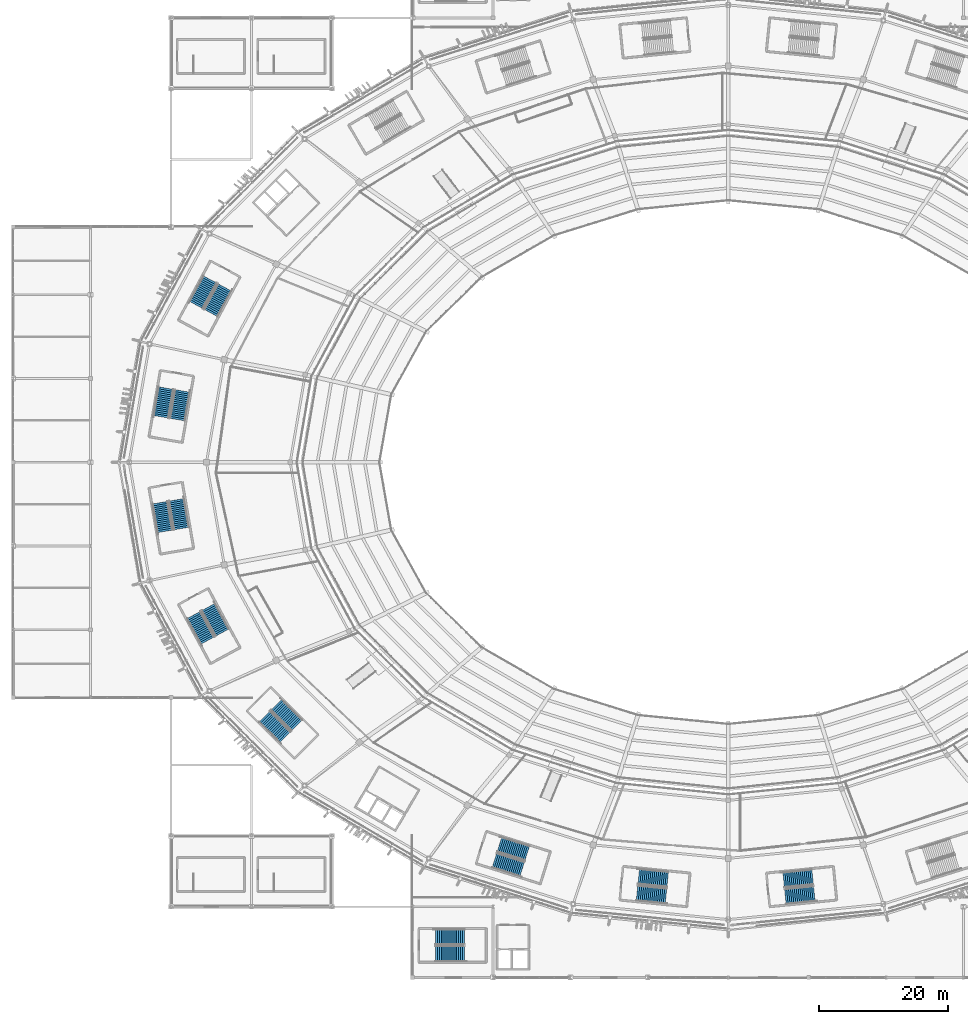
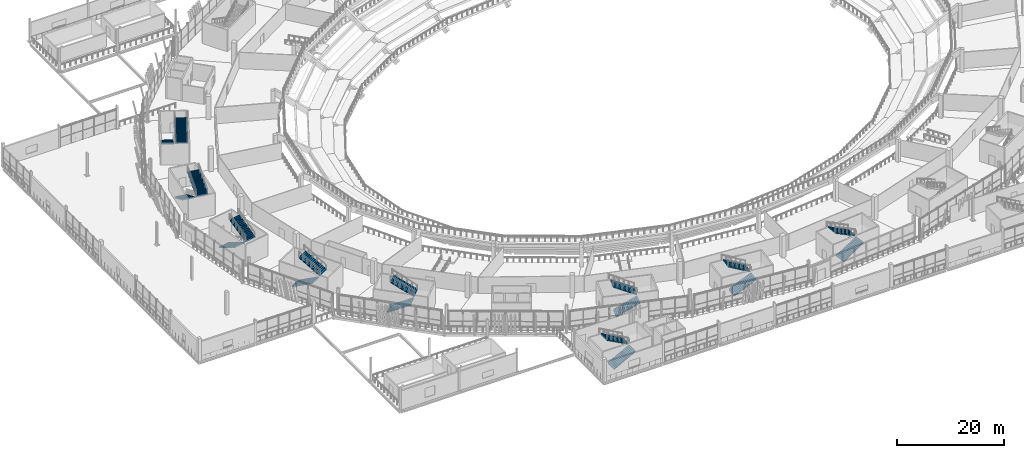
# One storey, part 134 of 178: 18 stair flights, 9 elements without a shape of their own.
"""IFC4 building model written with IfcOpenShell, lengths in metres."""

import ifcopenshell
import ifcopenshell.guid

model = None  # the IFC model being written
_history = None  # IfcOwnerHistory: only IFC2X3 demands one
_inside = {}  # id of a spatial element -> (the spatial element, [elements in it])
_under = {}  # id of a project, library or spatial element -> (it, [spatial elements below it])
_declared = {}  # id of a project -> (the project, [libraries it declares])
_typed = {}  # id of a type object -> (the type object, [elements of that type])
_made_of = {}  # id of a material, layer set ... -> (it, [elements and type objects made of it])


def new_model(schema):
    """Start an empty IFC model of exactly this schema.

    Asked for "IFC4X3", IfcOpenShell would pick the latest addendum, in which some entities
    have other attributes; the version numbers below select the first issue.
    IFC2X3 requires an IfcOwnerHistory on every rooted entity: one is made here for all.
    """
    global model, _history
    if schema == "IFC4X3":
        model = ifcopenshell.file(schema_version=(4, 3, 0, 0))
    else:
        model = ifcopenshell.file(schema=schema)
    _inside.clear()
    _under.clear()
    _declared.clear()
    _typed.clear()
    _made_of.clear()
    _history = None
    if model.schema == "IFC2X3":
        org = make("IfcOrganization", Name="unknown")
        user = make(
            "IfcPersonAndOrganization",
            ThePerson=make("IfcPerson", FamilyName="unknown"),
            TheOrganization=org,
        )
        app = make(
            "IfcApplication",
            ApplicationDeveloper=org,
            Version="unknown",
            ApplicationFullName="unknown",
            ApplicationIdentifier="unknown",
        )
        _history = make(
            "IfcOwnerHistory",
            OwningUser=user,
            OwningApplication=app,
            ChangeAction="ADDED",
            CreationDate=0,
        )
    return model


def make(cls, **values):
    """One entity of the class cls with the attributes given. An attribute that is None is left unset."""
    return model.create_entity(
        cls, **{name: value for name, value in values.items() if value is not None}
    )


def rooted(cls, **values):
    """An entity with a GlobalId (a new one), such as an element, a storey or a relation."""
    return make(cls, GlobalId=ifcopenshell.guid.new(), OwnerHistory=_history, **values)


def si_unit(unit_type, name, prefix=None):
    """IfcSIUnit, for example si_unit("LENGTHUNIT", "METRE", prefix="MILLI")."""
    return make("IfcSIUnit", UnitType=unit_type, Prefix=prefix, Name=name)


def assignment(units):
    """IfcUnitAssignment: the units of a project."""
    return None if units is None else make("IfcUnitAssignment", Units=units)


def point(xyz):
    """IfcCartesianPoint."""
    return None if xyz is None else make("IfcCartesianPoint", Coordinates=xyz)


def direction(xyz):
    """IfcDirection."""
    return None if xyz is None else make("IfcDirection", DirectionRatios=xyz)


def frame(location, z_axis=None, x_axis=None):
    """IfcAxis2Placement3D, a coordinate frame: its origin and axes. An axis left out is left unset."""
    return make(
        "IfcAxis2Placement3D",
        Location=point(location),
        Axis=direction(z_axis),
        RefDirection=direction(x_axis),
    )


def origin():
    """The frame at (0, 0, 0) with its axes left unset."""
    return frame((0.0, 0.0, 0.0))


def place(relative_to, where):
    """IfcLocalPlacement: puts the frame where relative to a parent placement (None: the world)."""
    return make(
        "IfcLocalPlacement", PlacementRelTo=relative_to, RelativePlacement=where
    )


def context(
    kind, dimensions, precision=None, world=None, true_north=None, identifier=None
):
    """IfcGeometricRepresentationContext, for example the 3D "Model" context."""
    return make(
        "IfcGeometricRepresentationContext",
        ContextIdentifier=identifier,
        ContextType=kind,
        CoordinateSpaceDimension=dimensions,
        Precision=precision,
        WorldCoordinateSystem=world,
        TrueNorth=true_north,
    )


def subcontext(parent, identifier, kind, view, scale=None):
    """IfcGeometricRepresentationSubContext, for example "Body" below "Model"."""
    return make(
        "IfcGeometricRepresentationSubContext",
        ContextIdentifier=identifier,
        ContextType=kind,
        ParentContext=parent,
        TargetScale=scale,
        TargetView=view,
    )


def project(units=None, contexts=None):
    """IfcProject with its units and contexts."""
    return rooted(
        "IfcProject",
        Name="project",
        RepresentationContexts=contexts,
        UnitsInContext=assignment(units),
    )


def spatial(cls, under=None, at=None, **own):
    """A site, building, storey or space (cls), placed at a placement, below another one or the project."""
    s = rooted(cls, ObjectPlacement=at, **own)
    if under is not None:
        _under.setdefault(under.id(), (under, []))[1].append(s)
    return s


def polyline(points):
    """IfcPolyline through the points."""
    return make("IfcPolyline", Points=[point(p) for p in points])


def outline(outer, holes=None, kind="AREA"):
    """IfcArbitraryClosedProfileDef: a profile drawn as a closed curve; with holes, ...WithVoids."""
    if holes is None:
        return make("IfcArbitraryClosedProfileDef", ProfileType=kind, OuterCurve=outer)
    return make(
        "IfcArbitraryProfileDefWithVoids",
        ProfileType=kind,
        OuterCurve=outer,
        InnerCurves=holes,
    )


def extrude(swept, where, along, depth):
    """IfcExtrudedAreaSolid: the profile swept, set in the frame where, extruded along a direction by depth."""
    return make(
        "IfcExtrudedAreaSolid",
        SweptArea=swept,
        Position=where,
        ExtrudedDirection=direction(along),
        Depth=depth,
    )


def shape(context_of_items, identifier, shape_type, items):
    """IfcShapeRepresentation: the items that make up one representation, for example the "Body"."""
    return make(
        "IfcShapeRepresentation",
        ContextOfItems=context_of_items,
        RepresentationIdentifier=identifier,
        RepresentationType=shape_type,
        Items=items,
    )


def material(Name=None, Category=None):
    """IfcMaterial."""
    return make("IfcMaterial", Name=Name, Category=Category)


def made_of(thing, what):
    """Note that an element or type object is made of a material, layer set ...; save() writes the relation."""
    if what is not None:
        _made_of.setdefault(what.id(), (what, []))[1].append(thing)
    return thing


def type_object(cls, material=None, **own):
    """A type object (cls), such as IfcWallType, which elements share."""
    return made_of(rooted(cls, **own), material)


def element(
    cls,
    number,
    at=None,
    inside=None,
    cuts=None,
    type_object=None,
    material=None,
    context=None,
    identifier="Body",
    shape_type=None,
    held_by="IfcProductDefinitionShape",
    body=None,
    shapes=None,
    **own,
):
    """One element of the class cls, such as IfcWall. Its Tag is "e" and its number.

    at: its placement. inside: the storey or other place that contains it. cuts: it is an
    opening in that element (IfcRelVoidsElement). A single representation is given by context,
    identifier, shape_type and body (its items); several are given by shapes. held_by: the class
    of the entity that holds the representations. save() writes the other relations.
    """
    e = rooted(cls, Tag="e%d" % number, ObjectPlacement=at, **own)
    if body is not None:
        shapes = [shape(context, identifier, shape_type, body)]
    if shapes is not None:
        e.Representation = make(held_by, Representations=shapes)
    if inside is not None:
        _inside.setdefault(inside.id(), (inside, []))[1].append(e)
    if cuts is not None:
        rooted(
            "IfcRelVoidsElement", RelatingBuildingElement=cuts, RelatedOpeningElement=e
        )
    if type_object is not None:
        _typed.setdefault(type_object.id(), (type_object, []))[1].append(e)
    return made_of(e, material)


def aggregate(whole, parts):
    """IfcRelAggregates: a whole, such as a stair, and the parts it consists of."""
    return rooted("IfcRelAggregates", RelatingObject=whole, RelatedObjects=parts)


def save(model, path):
    """Write the relations noted so far, then the file.

    IfcRelAggregates (storeys below a building ...), IfcRelContainedInSpatialStructure (elements
    in a storey), IfcRelDefinesByType, IfcRelAssociatesMaterial and IfcRelDeclares: one each for
    every whole, place, type object, material and project.
    """
    for whole, parts in _under.values():
        aggregate(whole, parts)
    for where, things in _inside.values():
        rooted(
            "IfcRelContainedInSpatialStructure",
            RelatedElements=things,
            RelatingStructure=where,
        )
    for kind, things in _typed.values():
        rooted("IfcRelDefinesByType", RelatedObjects=things, RelatingType=kind)
    for what, things in _made_of.values():
        rooted("IfcRelAssociatesMaterial", RelatedObjects=things, RelatingMaterial=what)
    for by, libraries in _declared.values():
        rooted("IfcRelDeclares", RelatingContext=by, RelatedDefinitions=libraries)
    model.write(path)


model = new_model("IFC4")

# Units and contexts
model_context = context("Model", 3, precision=1e-05, world=origin(), true_north=direction((0.0, 1.0)))
body_context = subcontext(model_context, "Body", "Model", "MODEL_VIEW")
ifc_project = project(units=[si_unit("LENGTHUNIT", "METRE"), si_unit("AREAUNIT", "SQUARE_METRE"), si_unit("VOLUMEUNIT", "CUBIC_METRE"), si_unit("PLANEANGLEUNIT", "RADIAN"), si_unit("MASSUNIT", "GRAM", prefix="KILO")], contexts=[model_context])

# Site, building, storey
site_placement = place(None, origin())
site = spatial("IfcSite", under=ifc_project, at=site_placement, CompositionType="ELEMENT")
building_placement = place(site_placement, origin())
building = spatial("IfcBuilding", under=site, at=building_placement, Name="Zlatoyarsky Gate Stadium", CompositionType="ELEMENT")
storey_placement = place(building_placement, frame((0.0, 0.0, 5.39990234375)))
storey = spatial("IfcBuildingStorey", under=building, at=storey_placement, Name="L01", CompositionType="ELEMENT", Elevation=5.39990234375)

# Stair, stair flights
ifc_material = material(Name="Concrete C40/50", Category="concrete")
stair_type = type_object("IfcStairType", Name="CONCRETE DOGLEG EXIT STAIR H5200", PredefinedType="TWO_STRAIGHT_RUN_STAIR", material=ifc_material)
stair_1_placement = place(storey_placement, origin())
stair_1 = element("IfcStair", 1, at=stair_1_placement, inside=storey, type_object=stair_type, Name="L01 Exit Stair ST-06", PredefinedType="TWO_STRAIGHT_RUN_STAIR")
stair_flight_type = type_object("IfcStairFlightType", Name="CONCRETE STAIR FLIGHT 2400 H5200", PredefinedType="STRAIGHT", material=ifc_material)
stair_flight_1_placement = place(storey_placement, frame((30.5517578125, 108.37353515625, 0.0), z_axis=(0.0, 0.0, 1.0), x_axis=(-0.476890318595, -0.878962811518, 0.0)))
stair_flight_1 = element("IfcStairFlight", 2, at=stair_flight_1_placement, type_object=stair_flight_type, Name="ST-DG52 flight 1", NumberOfRisers=16, NumberOfTreads=15, PredefinedType="STRAIGHT", RiserHeight=0.1625, TreadLength=0.3, context=body_context, shape_type="SweptSolid", body=[
    extrude(outline(polyline([(-0.006103515625, -0.193359375), (-0.006103515625, 0.0), (0.0, 0.0), (0.0, 0.16259765625), (0.300048828125, 0.16259765625), (0.300048828125, 0.324951171875), (0.60009765625, 0.324951171875), (0.60009765625, 0.487548828125), (0.89990234375, 0.487548828125), (0.89990234375, 0.64990234375), (1.199951171875, 0.64990234375), (1.199951171875, 0.8125), (1.5, 0.8125), (1.5, 0.97509765625), (1.800048828125, 0.97509765625), (1.800048828125, 1.137451171875), (2.10009765625, 1.137451171875), (2.10009765625, 1.300048828125), (2.39990234375, 1.300048828125), (2.39990234375, 1.46240234375), (2.699951171875, 1.46240234375), (2.699951171875, 1.625), (3.0, 1.625), (3.0, 1.78759765625), (3.300048828125, 1.78759765625), (3.300048828125, 1.949951171875), (3.60009765625, 1.949951171875), (3.60009765625, 2.112548828125), (3.89990234375, 2.112548828125), (3.89990234375, 2.27490234375), (4.199951171875, 2.27490234375), (4.199951171875, 2.4375), (4.5, 2.4375), (4.5, 2.60009765625), (4.506103515625, 2.60009765625), (4.506103515625, 2.244140625), (4.5, 2.244140625), (-0.006103515625, -0.193359375)])), frame((0.0, 1.199951171875, 0.0), z_axis=(0.0, -1.0, 0.0), x_axis=(1.0, 0.0, 0.0)), (0.0, 0.0, 1.0), 2.39990234375),
])
stair_flight_2_placement = place(storey_placement, frame((30.691162109375, 103.17822265625, 2.60009765625), z_axis=(0.0, 0.0, 1.0), x_axis=(0.476890318595, 0.878962811518, 0.0)))
stair_flight_2 = element("IfcStairFlight", 3, at=stair_flight_2_placement, type_object=stair_flight_type, Name="ST-DG52 flight 2", NumberOfRisers=16, NumberOfTreads=15, PredefinedType="STRAIGHT", RiserHeight=0.1625, TreadLength=0.3, context=body_context, shape_type="SweptSolid", body=[
    extrude(outline(polyline([(-0.006103515625, -0.193359375), (-0.006103515625, 0.0), (0.0, 0.0), (0.0, 0.16259765625), (0.300048828125, 0.16259765625), (0.300048828125, 0.324951171875), (0.60009765625, 0.324951171875), (0.60009765625, 0.487548828125), (0.89990234375, 0.487548828125), (0.89990234375, 0.64990234375), (1.199951171875, 0.64990234375), (1.199951171875, 0.8125), (1.5, 0.8125), (1.5, 0.97509765625), (1.800048828125, 0.97509765625), (1.800048828125, 1.137451171875), (2.10009765625, 1.137451171875), (2.10009765625, 1.300048828125), (2.39990234375, 1.300048828125), (2.39990234375, 1.46240234375), (2.699951171875, 1.46240234375), (2.699951171875, 1.625), (3.0, 1.625), (3.0, 1.78759765625), (3.300048828125, 1.78759765625), (3.300048828125, 1.949951171875), (3.60009765625, 1.949951171875), (3.60009765625, 2.112548828125), (3.89990234375, 2.112548828125), (3.89990234375, 2.27490234375), (4.199951171875, 2.27490234375), (4.199951171875, 2.4375), (4.5, 2.4375), (4.5, 2.60009765625), (4.506103515625, 2.60009765625), (4.506103515625, 2.244140625), (4.5, 2.244140625), (-0.006103515625, -0.193359375)])), frame((0.0, 1.199951171875, 0.0), z_axis=(0.0, -1.0, 0.0), x_axis=(1.0, 0.0, 0.0)), (0.0, 0.0, 1.0), 2.39990234375),
])
aggregate(stair_1, [stair_flight_1, stair_flight_2])

stair_2_placement = place(storey_placement, origin())
stair_2 = element("IfcStair", 4, at=stair_2_placement, inside=storey, type_object=stair_type, Name="L01 Exit Stair ST-07", PredefinedType="TWO_STRAIGHT_RUN_STAIR")
stair_flight_3_placement = place(storey_placement, frame((22.80712890625, 73.71875, 0.0), z_axis=(0.0, 0.0, 1.0), x_axis=(0.169937754623, -0.985454798331, 0.0)))
stair_flight_3 = element("IfcStairFlight", 5, at=stair_flight_3_placement, type_object=stair_flight_type, Name="ST-DG52 flight 1", NumberOfRisers=16, NumberOfTreads=15, PredefinedType="STRAIGHT", RiserHeight=0.1625, TreadLength=0.3, context=body_context, shape_type="SweptSolid", body=[
    extrude(outline(polyline([(-0.006103515625, -0.193359375), (-0.006103515625, 0.0), (0.0, 0.0), (0.0, 0.16259765625), (0.300048828125, 0.16259765625), (0.300048828125, 0.324951171875), (0.60009765625, 0.324951171875), (0.60009765625, 0.487548828125), (0.89990234375, 0.487548828125), (0.89990234375, 0.64990234375), (1.199951171875, 0.64990234375), (1.199951171875, 0.8125), (1.5, 0.8125), (1.5, 0.97509765625), (1.800048828125, 0.97509765625), (1.800048828125, 1.137451171875), (2.10009765625, 1.137451171875), (2.10009765625, 1.300048828125), (2.39990234375, 1.300048828125), (2.39990234375, 1.46240234375), (2.699951171875, 1.46240234375), (2.699951171875, 1.625), (3.0, 1.625), (3.0, 1.78759765625), (3.300048828125, 1.78759765625), (3.300048828125, 1.949951171875), (3.60009765625, 1.949951171875), (3.60009765625, 2.112548828125), (3.89990234375, 2.112548828125), (3.89990234375, 2.27490234375), (4.199951171875, 2.27490234375), (4.199951171875, 2.4375), (4.5, 2.4375), (4.5, 2.60009765625), (4.506103515625, 2.60009765625), (4.506103515625, 2.244140625), (4.5, 2.244140625), (-0.006103515625, -0.193359375)])), frame((0.0, 1.199951171875, 0.0), z_axis=(0.0, -1.0, 0.0), x_axis=(1.0, 0.0, 0.0)), (0.0, 0.0, 1.0), 2.39990234375),
])
stair_flight_4_placement = place(storey_placement, frame((26.134033203125, 69.72607421875, 2.60009765625), z_axis=(0.0, 0.0, 1.0), x_axis=(-0.169937754623, 0.985454798331, 0.0)))
stair_flight_4 = element("IfcStairFlight", 6, at=stair_flight_4_placement, type_object=stair_flight_type, Name="ST-DG52 flight 2", NumberOfRisers=16, NumberOfTreads=15, PredefinedType="STRAIGHT", RiserHeight=0.1625, TreadLength=0.3, context=body_context, shape_type="SweptSolid", body=[
    extrude(outline(polyline([(-0.006103515625, -0.193359375), (-0.006103515625, 0.0), (0.0, 0.0), (0.0, 0.16259765625), (0.300048828125, 0.16259765625), (0.300048828125, 0.324951171875), (0.60009765625, 0.324951171875), (0.60009765625, 0.487548828125), (0.89990234375, 0.487548828125), (0.89990234375, 0.64990234375), (1.199951171875, 0.64990234375), (1.199951171875, 0.8125), (1.5, 0.8125), (1.5, 0.97509765625), (1.800048828125, 0.97509765625), (1.800048828125, 1.137451171875), (2.10009765625, 1.137451171875), (2.10009765625, 1.300048828125), (2.39990234375, 1.300048828125), (2.39990234375, 1.46240234375), (2.699951171875, 1.46240234375), (2.699951171875, 1.625), (3.0, 1.625), (3.0, 1.78759765625), (3.300048828125, 1.78759765625), (3.300048828125, 1.949951171875), (3.60009765625, 1.949951171875), (3.60009765625, 2.112548828125), (3.89990234375, 2.112548828125), (3.89990234375, 2.27490234375), (4.199951171875, 2.27490234375), (4.199951171875, 2.4375), (4.5, 2.4375), (4.5, 2.60009765625), (4.506103515625, 2.60009765625), (4.506103515625, 2.244140625), (4.5, 2.244140625), (-0.006103515625, -0.193359375)])), frame((0.0, 1.199951171875, 0.0), z_axis=(0.0, -1.0, 0.0), x_axis=(1.0, 0.0, 0.0)), (0.0, 0.0, 1.0), 2.39990234375),
])
aggregate(stair_2, [stair_flight_3, stair_flight_4])

stair_3_placement = place(storey_placement, origin())
stair_3 = element("IfcStair", 7, at=stair_3_placement, inside=storey, type_object=stair_type, Name="L01 Exit Stair ST-08", PredefinedType="TWO_STRAIGHT_RUN_STAIR")
stair_flight_5_placement = place(storey_placement, frame((39.01806640625, 40.50341796875, 0.0), z_axis=(0.0, 0.0, 1.0), x_axis=(0.708901395436, -0.70530760066, 0.0)))
stair_flight_5 = element("IfcStairFlight", 8, at=stair_flight_5_placement, type_object=stair_flight_type, Name="ST-DG52 flight 1", NumberOfRisers=16, NumberOfTreads=15, PredefinedType="STRAIGHT", RiserHeight=0.1625, TreadLength=0.3, context=body_context, shape_type="SweptSolid", body=[
    extrude(outline(polyline([(-0.006103515625, -0.193359375), (-0.006103515625, 0.0), (0.0, 0.0), (0.0, 0.16259765625), (0.300048828125, 0.16259765625), (0.300048828125, 0.324951171875), (0.60009765625, 0.324951171875), (0.60009765625, 0.487548828125), (0.89990234375, 0.487548828125), (0.89990234375, 0.64990234375), (1.199951171875, 0.64990234375), (1.199951171875, 0.8125), (1.5, 0.8125), (1.5, 0.97509765625), (1.800048828125, 0.97509765625), (1.800048828125, 1.137451171875), (2.10009765625, 1.137451171875), (2.10009765625, 1.300048828125), (2.39990234375, 1.300048828125), (2.39990234375, 1.46240234375), (2.699951171875, 1.46240234375), (2.699951171875, 1.625), (3.0, 1.625), (3.0, 1.78759765625), (3.300048828125, 1.78759765625), (3.300048828125, 1.949951171875), (3.60009765625, 1.949951171875), (3.60009765625, 2.112548828125), (3.89990234375, 2.112548828125), (3.89990234375, 2.27490234375), (4.199951171875, 2.27490234375), (4.199951171875, 2.4375), (4.5, 2.4375), (4.5, 2.60009765625), (4.506103515625, 2.60009765625), (4.506103515625, 2.244140625), (4.5, 2.244140625), (-0.006103515625, -0.193359375)])), frame((0.0, 1.199951171875, 0.0), z_axis=(0.0, -1.0, 0.0), x_axis=(1.0, 0.0, 0.0)), (0.0, 0.0, 1.0), 2.39990234375),
])
stair_flight_6_placement = place(storey_placement, frame((44.0419921875, 39.172607421875, 2.60009765625), z_axis=(0.0, 0.0, 1.0), x_axis=(-0.708901395436, 0.70530760066, 0.0)))
stair_flight_6 = element("IfcStairFlight", 9, at=stair_flight_6_placement, type_object=stair_flight_type, Name="ST-DG52 flight 2", NumberOfRisers=16, NumberOfTreads=15, PredefinedType="STRAIGHT", RiserHeight=0.1625, TreadLength=0.3, context=body_context, shape_type="SweptSolid", body=[
    extrude(outline(polyline([(-0.006103515625, -0.193359375), (-0.006103515625, 0.0), (0.0, 0.0), (0.0, 0.16259765625), (0.300048828125, 0.16259765625), (0.300048828125, 0.324951171875), (0.60009765625, 0.324951171875), (0.60009765625, 0.487548828125), (0.89990234375, 0.487548828125), (0.89990234375, 0.64990234375), (1.199951171875, 0.64990234375), (1.199951171875, 0.8125), (1.5, 0.8125), (1.5, 0.97509765625), (1.800048828125, 0.97509765625), (1.800048828125, 1.137451171875), (2.10009765625, 1.137451171875), (2.10009765625, 1.300048828125), (2.39990234375, 1.300048828125), (2.39990234375, 1.46240234375), (2.699951171875, 1.46240234375), (2.699951171875, 1.625), (3.0, 1.625), (3.0, 1.78759765625), (3.300048828125, 1.78759765625), (3.300048828125, 1.949951171875), (3.60009765625, 1.949951171875), (3.60009765625, 2.112548828125), (3.89990234375, 2.112548828125), (3.89990234375, 2.27490234375), (4.199951171875, 2.27490234375), (4.199951171875, 2.4375), (4.5, 2.4375), (4.5, 2.60009765625), (4.506103515625, 2.60009765625), (4.506103515625, 2.244140625), (4.5, 2.244140625), (-0.006103515625, -0.193359375)])), frame((0.0, 1.199951171875, 0.0), z_axis=(0.0, -1.0, 0.0), x_axis=(1.0, 0.0, 0.0)), (0.0, 0.0, 1.0), 2.39990234375),
])
aggregate(stair_3, [stair_flight_5, stair_flight_6])

stair_4_placement = place(storey_placement, origin())
stair_4 = element("IfcStair", 10, at=stair_4_placement, inside=storey, type_object=stair_type, Name="L01 Exit Stair ST-09", PredefinedType="TWO_STRAIGHT_RUN_STAIR")
stair_flight_7_placement = place(storey_placement, frame((74.70849609375, 18.179931640625, 0.0), z_axis=(0.0, 0.0, 1.0), x_axis=(0.953463118711, -0.301509670257, 0.0)))
stair_flight_7 = element("IfcStairFlight", 11, at=stair_flight_7_placement, type_object=stair_flight_type, Name="ST-DG52 flight 1", NumberOfRisers=16, NumberOfTreads=15, PredefinedType="STRAIGHT", RiserHeight=0.1625, TreadLength=0.3, context=body_context, shape_type="SweptSolid", body=[
    extrude(outline(polyline([(-0.006103515625, -0.193359375), (-0.006103515625, 0.0), (0.0, 0.0), (0.0, 0.16259765625), (0.300048828125, 0.16259765625), (0.300048828125, 0.324951171875), (0.60009765625, 0.324951171875), (0.60009765625, 0.487548828125), (0.89990234375, 0.487548828125), (0.89990234375, 0.64990234375), (1.199951171875, 0.64990234375), (1.199951171875, 0.8125), (1.5, 0.8125), (1.5, 0.97509765625), (1.800048828125, 0.97509765625), (1.800048828125, 1.137451171875), (2.10009765625, 1.137451171875), (2.10009765625, 1.300048828125), (2.39990234375, 1.300048828125), (2.39990234375, 1.46240234375), (2.699951171875, 1.46240234375), (2.699951171875, 1.625), (3.0, 1.625), (3.0, 1.78759765625), (3.300048828125, 1.78759765625), (3.300048828125, 1.949951171875), (3.60009765625, 1.949951171875), (3.60009765625, 2.112548828125), (3.89990234375, 2.112548828125), (3.89990234375, 2.27490234375), (4.199951171875, 2.27490234375), (4.199951171875, 2.4375), (4.5, 2.4375), (4.5, 2.60009765625), (4.506103515625, 2.60009765625), (4.506103515625, 2.244140625), (4.5, 2.244140625), (-0.006103515625, -0.193359375)])), frame((0.0, 1.199951171875, 0.0), z_axis=(0.0, -1.0, 0.0), x_axis=(1.0, 0.0, 0.0)), (0.0, 0.0, 1.0), 2.39990234375),
])
stair_flight_8_placement = place(storey_placement, frame((79.782958984375, 19.30224609375, 2.60009765625), z_axis=(0.0, 0.0, 1.0), x_axis=(-0.953463118711, 0.301509670257, 0.0)))
stair_flight_8 = element("IfcStairFlight", 12, at=stair_flight_8_placement, type_object=stair_flight_type, Name="ST-DG52 flight 2", NumberOfRisers=16, NumberOfTreads=15, PredefinedType="STRAIGHT", RiserHeight=0.1625, TreadLength=0.3, context=body_context, shape_type="SweptSolid", body=[
    extrude(outline(polyline([(-0.006103515625, -0.193359375), (-0.006103515625, 0.0), (0.0, 0.0), (0.0, 0.16259765625), (0.300048828125, 0.16259765625), (0.300048828125, 0.324951171875), (0.60009765625, 0.324951171875), (0.60009765625, 0.487548828125), (0.89990234375, 0.487548828125), (0.89990234375, 0.64990234375), (1.199951171875, 0.64990234375), (1.199951171875, 0.8125), (1.5, 0.8125), (1.5, 0.97509765625), (1.800048828125, 0.97509765625), (1.800048828125, 1.137451171875), (2.10009765625, 1.137451171875), (2.10009765625, 1.300048828125), (2.39990234375, 1.300048828125), (2.39990234375, 1.46240234375), (2.699951171875, 1.46240234375), (2.699951171875, 1.625), (3.0, 1.625), (3.0, 1.78759765625), (3.300048828125, 1.78759765625), (3.300048828125, 1.949951171875), (3.60009765625, 1.949951171875), (3.60009765625, 2.112548828125), (3.89990234375, 2.112548828125), (3.89990234375, 2.27490234375), (4.199951171875, 2.27490234375), (4.199951171875, 2.4375), (4.5, 2.4375), (4.5, 2.60009765625), (4.506103515625, 2.60009765625), (4.506103515625, 2.244140625), (4.5, 2.244140625), (-0.006103515625, -0.193359375)])), frame((0.0, 1.199951171875, 0.0), z_axis=(0.0, -1.0, 0.0), x_axis=(1.0, 0.0, 0.0)), (0.0, 0.0, 1.0), 2.39990234375),
])
aggregate(stair_4, [stair_flight_7, stair_flight_8])

stair_5_placement = place(storey_placement, origin())
stair_5 = element("IfcStair", 13, at=stair_5_placement, inside=storey, type_object=stair_type, Name="L01 Exit Stair ST-10", PredefinedType="TWO_STRAIGHT_RUN_STAIR")
stair_flight_9_placement = place(storey_placement, frame((119.876220703125, 12.5732421875, 0.0), z_axis=(0.0, 0.0, 1.0), x_axis=(0.994986861964, 0.100005722426, 0.0)))
stair_flight_9 = element("IfcStairFlight", 14, at=stair_flight_9_placement, type_object=stair_flight_type, Name="ST-DG52 flight 1", NumberOfRisers=16, NumberOfTreads=15, PredefinedType="STRAIGHT", RiserHeight=0.1625, TreadLength=0.3, context=body_context, shape_type="SweptSolid", body=[
    extrude(outline(polyline([(-0.006103515625, -0.193359375), (-0.006103515625, 0.0), (0.0, 0.0), (0.0, 0.16259765625), (0.300048828125, 0.16259765625), (0.300048828125, 0.324951171875), (0.60009765625, 0.324951171875), (0.60009765625, 0.487548828125), (0.89990234375, 0.487548828125), (0.89990234375, 0.64990234375), (1.199951171875, 0.64990234375), (1.199951171875, 0.8125), (1.5, 0.8125), (1.5, 0.97509765625), (1.800048828125, 0.97509765625), (1.800048828125, 1.137451171875), (2.10009765625, 1.137451171875), (2.10009765625, 1.300048828125), (2.39990234375, 1.300048828125), (2.39990234375, 1.46240234375), (2.699951171875, 1.46240234375), (2.699951171875, 1.625), (3.0, 1.625), (3.0, 1.78759765625), (3.300048828125, 1.78759765625), (3.300048828125, 1.949951171875), (3.60009765625, 1.949951171875), (3.60009765625, 2.112548828125), (3.89990234375, 2.112548828125), (3.89990234375, 2.27490234375), (4.199951171875, 2.27490234375), (4.199951171875, 2.4375), (4.5, 2.4375), (4.5, 2.60009765625), (4.506103515625, 2.60009765625), (4.506103515625, 2.244140625), (4.5, 2.244140625), (-0.006103515625, -0.193359375)])), frame((0.0, 1.199951171875, 0.0), z_axis=(0.0, -1.0, 0.0), x_axis=(1.0, 0.0, 0.0)), (0.0, 0.0, 1.0), 2.39990234375),
])
stair_flight_10_placement = place(storey_placement, frame((124.093505859375, 15.610107421875, 2.60009765625), z_axis=(0.0, 0.0, 1.0), x_axis=(-0.994986861964, -0.100005722426, 0.0)))
stair_flight_10 = element("IfcStairFlight", 15, at=stair_flight_10_placement, type_object=stair_flight_type, Name="ST-DG52 flight 2", NumberOfRisers=16, NumberOfTreads=15, PredefinedType="STRAIGHT", RiserHeight=0.1625, TreadLength=0.3, context=body_context, shape_type="SweptSolid", body=[
    extrude(outline(polyline([(-0.006103515625, -0.193359375), (-0.006103515625, 0.0), (0.0, 0.0), (0.0, 0.16259765625), (0.300048828125, 0.16259765625), (0.300048828125, 0.324951171875), (0.60009765625, 0.324951171875), (0.60009765625, 0.487548828125), (0.89990234375, 0.487548828125), (0.89990234375, 0.64990234375), (1.199951171875, 0.64990234375), (1.199951171875, 0.8125), (1.5, 0.8125), (1.5, 0.97509765625), (1.800048828125, 0.97509765625), (1.800048828125, 1.137451171875), (2.10009765625, 1.137451171875), (2.10009765625, 1.300048828125), (2.39990234375, 1.300048828125), (2.39990234375, 1.46240234375), (2.699951171875, 1.46240234375), (2.699951171875, 1.625), (3.0, 1.625), (3.0, 1.78759765625), (3.300048828125, 1.78759765625), (3.300048828125, 1.949951171875), (3.60009765625, 1.949951171875), (3.60009765625, 2.112548828125), (3.89990234375, 2.112548828125), (3.89990234375, 2.27490234375), (4.199951171875, 2.27490234375), (4.199951171875, 2.4375), (4.5, 2.4375), (4.5, 2.60009765625), (4.506103515625, 2.60009765625), (4.506103515625, 2.244140625), (4.5, 2.244140625), (-0.006103515625, -0.193359375)])), frame((0.0, 1.199951171875, 0.0), z_axis=(0.0, -1.0, 0.0), x_axis=(1.0, 0.0, 0.0)), (0.0, 0.0, 1.0), 2.39990234375),
])
aggregate(stair_5, [stair_flight_9, stair_flight_10])

stair_6_placement = place(storey_placement, origin())
stair_6 = element("IfcStair", 16, at=stair_6_placement, inside=storey, type_object=stair_type, Name="L01 Exit Stair ST-15", PredefinedType="TWO_STRAIGHT_RUN_STAIR")
stair_flight_11_placement = place(storey_placement, frame((28.0244140625, 56.284912109375, 0.0), z_axis=(0.0, 0.0, 1.0), x_axis=(0.476890318595, -0.878962811518, 0.0)))
stair_flight_11 = element("IfcStairFlight", 17, at=stair_flight_11_placement, type_object=stair_flight_type, Name="ST-DG52 flight 1", NumberOfRisers=16, NumberOfTreads=15, PredefinedType="STRAIGHT", RiserHeight=0.1625, TreadLength=0.3, context=body_context, shape_type="SweptSolid", body=[
    extrude(outline(polyline([(-0.006103515625, -0.193359375), (-0.006103515625, 0.0), (0.0, 0.0), (0.0, 0.16259765625), (0.300048828125, 0.16259765625), (0.300048828125, 0.324951171875), (0.60009765625, 0.324951171875), (0.60009765625, 0.487548828125), (0.89990234375, 0.487548828125), (0.89990234375, 0.64990234375), (1.199951171875, 0.64990234375), (1.199951171875, 0.8125), (1.5, 0.8125), (1.5, 0.97509765625), (1.800048828125, 0.97509765625), (1.800048828125, 1.137451171875), (2.10009765625, 1.137451171875), (2.10009765625, 1.300048828125), (2.39990234375, 1.300048828125), (2.39990234375, 1.46240234375), (2.699951171875, 1.46240234375), (2.699951171875, 1.625), (3.0, 1.625), (3.0, 1.78759765625), (3.300048828125, 1.78759765625), (3.300048828125, 1.949951171875), (3.60009765625, 1.949951171875), (3.60009765625, 2.112548828125), (3.89990234375, 2.112548828125), (3.89990234375, 2.27490234375), (4.199951171875, 2.27490234375), (4.199951171875, 2.4375), (4.5, 2.4375), (4.5, 2.60009765625), (4.506103515625, 2.60009765625), (4.506103515625, 2.244140625), (4.5, 2.244140625), (-0.006103515625, -0.193359375)])), frame((0.0, 1.199951171875, 0.0), z_axis=(0.0, -1.0, 0.0), x_axis=(1.0, 0.0, 0.0)), (0.0, 0.0, 1.0), 2.39990234375),
])
stair_flight_12_placement = place(storey_placement, frame((32.45556640625, 53.569580078125, 2.60009765625), z_axis=(0.0, 0.0, 1.0), x_axis=(-0.476890318595, 0.878962811518, 0.0)))
stair_flight_12 = element("IfcStairFlight", 18, at=stair_flight_12_placement, type_object=stair_flight_type, Name="ST-DG52 flight 2", NumberOfRisers=16, NumberOfTreads=15, PredefinedType="STRAIGHT", RiserHeight=0.1625, TreadLength=0.3, context=body_context, shape_type="SweptSolid", body=[
    extrude(outline(polyline([(-0.006103515625, -0.193359375), (-0.006103515625, 0.0), (0.0, 0.0), (0.0, 0.16259765625), (0.300048828125, 0.16259765625), (0.300048828125, 0.324951171875), (0.60009765625, 0.324951171875), (0.60009765625, 0.487548828125), (0.89990234375, 0.487548828125), (0.89990234375, 0.64990234375), (1.199951171875, 0.64990234375), (1.199951171875, 0.8125), (1.5, 0.8125), (1.5, 0.97509765625), (1.800048828125, 0.97509765625), (1.800048828125, 1.137451171875), (2.10009765625, 1.137451171875), (2.10009765625, 1.300048828125), (2.39990234375, 1.300048828125), (2.39990234375, 1.46240234375), (2.699951171875, 1.46240234375), (2.699951171875, 1.625), (3.0, 1.625), (3.0, 1.78759765625), (3.300048828125, 1.78759765625), (3.300048828125, 1.949951171875), (3.60009765625, 1.949951171875), (3.60009765625, 2.112548828125), (3.89990234375, 2.112548828125), (3.89990234375, 2.27490234375), (4.199951171875, 2.27490234375), (4.199951171875, 2.4375), (4.5, 2.4375), (4.5, 2.60009765625), (4.506103515625, 2.60009765625), (4.506103515625, 2.244140625), (4.5, 2.244140625), (-0.006103515625, -0.193359375)])), frame((0.0, 1.199951171875, 0.0), z_axis=(0.0, -1.0, 0.0), x_axis=(1.0, 0.0, 0.0)), (0.0, 0.0, 1.0), 2.39990234375),
])
aggregate(stair_6, [stair_flight_11, stair_flight_12])

stair_7_placement = place(storey_placement, origin())
stair_7 = element("IfcStair", 19, at=stair_7_placement, inside=storey, type_object=stair_type, Name="L01 Exit Stair ST-18", PredefinedType="TWO_STRAIGHT_RUN_STAIR")
stair_flight_13_placement = place(storey_placement, frame((23.707763671875, 91.504150390625, 0.0), z_axis=(0.0, 0.0, 1.0), x_axis=(-0.169937754623, -0.985454798331, 0.0)))
stair_flight_13 = element("IfcStairFlight", 20, at=stair_flight_13_placement, type_object=stair_flight_type, Name="ST-DG52 flight 1", NumberOfRisers=16, NumberOfTreads=15, PredefinedType="STRAIGHT", RiserHeight=0.1625, TreadLength=0.3, context=body_context, shape_type="SweptSolid", body=[
    extrude(outline(polyline([(-0.006103515625, -0.193359375), (-0.006103515625, 0.0), (0.0, 0.0), (0.0, 0.16259765625), (0.300048828125, 0.16259765625), (0.300048828125, 0.324951171875), (0.60009765625, 0.324951171875), (0.60009765625, 0.487548828125), (0.89990234375, 0.487548828125), (0.89990234375, 0.64990234375), (1.199951171875, 0.64990234375), (1.199951171875, 0.8125), (1.5, 0.8125), (1.5, 0.97509765625), (1.800048828125, 0.97509765625), (1.800048828125, 1.137451171875), (2.10009765625, 1.137451171875), (2.10009765625, 1.300048828125), (2.39990234375, 1.300048828125), (2.39990234375, 1.46240234375), (2.699951171875, 1.46240234375), (2.699951171875, 1.625), (3.0, 1.625), (3.0, 1.78759765625), (3.300048828125, 1.78759765625), (3.300048828125, 1.949951171875), (3.60009765625, 1.949951171875), (3.60009765625, 2.112548828125), (3.89990234375, 2.112548828125), (3.89990234375, 2.27490234375), (4.199951171875, 2.27490234375), (4.199951171875, 2.4375), (4.5, 2.4375), (4.5, 2.60009765625), (4.506103515625, 2.60009765625), (4.506103515625, 2.244140625), (4.5, 2.244140625), (-0.006103515625, -0.193359375)])), frame((0.0, 1.199951171875, 0.0), z_axis=(0.0, -1.0, 0.0), x_axis=(1.0, 0.0, 0.0)), (0.0, 0.0, 1.0), 2.39990234375),
])
stair_flight_14_placement = place(storey_placement, frame((25.50537109375, 86.627685546875, 2.60009765625), z_axis=(0.0, 0.0, 1.0), x_axis=(0.169937754623, 0.985454798331, 0.0)))
stair_flight_14 = element("IfcStairFlight", 21, at=stair_flight_14_placement, type_object=stair_flight_type, Name="ST-DG52 flight 2", NumberOfRisers=16, NumberOfTreads=15, PredefinedType="STRAIGHT", RiserHeight=0.1625, TreadLength=0.3, context=body_context, shape_type="SweptSolid", body=[
    extrude(outline(polyline([(-0.006103515625, -0.193359375), (-0.006103515625, 0.0), (0.0, 0.0), (0.0, 0.16259765625), (0.300048828125, 0.16259765625), (0.300048828125, 0.324951171875), (0.60009765625, 0.324951171875), (0.60009765625, 0.487548828125), (0.89990234375, 0.487548828125), (0.89990234375, 0.64990234375), (1.199951171875, 0.64990234375), (1.199951171875, 0.8125), (1.5, 0.8125), (1.5, 0.97509765625), (1.800048828125, 0.97509765625), (1.800048828125, 1.137451171875), (2.10009765625, 1.137451171875), (2.10009765625, 1.300048828125), (2.39990234375, 1.300048828125), (2.39990234375, 1.46240234375), (2.699951171875, 1.46240234375), (2.699951171875, 1.625), (3.0, 1.625), (3.0, 1.78759765625), (3.300048828125, 1.78759765625), (3.300048828125, 1.949951171875), (3.60009765625, 1.949951171875), (3.60009765625, 2.112548828125), (3.89990234375, 2.112548828125), (3.89990234375, 2.27490234375), (4.199951171875, 2.27490234375), (4.199951171875, 2.4375), (4.5, 2.4375), (4.5, 2.60009765625), (4.506103515625, 2.60009765625), (4.506103515625, 2.244140625), (4.5, 2.244140625), (-0.006103515625, -0.193359375)])), frame((0.0, 1.199951171875, 0.0), z_axis=(0.0, -1.0, 0.0), x_axis=(1.0, 0.0, 0.0)), (0.0, 0.0, 1.0), 2.39990234375),
])
aggregate(stair_7, [stair_flight_13, stair_flight_14])

stair_8_placement = place(storey_placement, origin())
stair_8 = element("IfcStair", 22, at=stair_8_placement, inside=storey, type_object=stair_type, Name="L01 Exit Stair ST-19", PredefinedType="TWO_STRAIGHT_RUN_STAIR")
stair_flight_15_placement = place(storey_placement, frame((96.850341796875, 13.103271484375, 0.0), z_axis=(0.0, 0.0, 1.0), x_axis=(0.994986861964, -0.100005722426, 0.0)))
stair_flight_15 = element("IfcStairFlight", 23, at=stair_flight_15_placement, type_object=stair_flight_type, Name="ST-DG52 flight 1", NumberOfRisers=16, NumberOfTreads=15, PredefinedType="STRAIGHT", RiserHeight=0.1625, TreadLength=0.3, context=body_context, shape_type="SweptSolid", body=[
    extrude(outline(polyline([(-0.006103515625, -0.193359375), (-0.006103515625, 0.0), (0.0, 0.0), (0.0, 0.16259765625), (0.300048828125, 0.16259765625), (0.300048828125, 0.324951171875), (0.60009765625, 0.324951171875), (0.60009765625, 0.487548828125), (0.89990234375, 0.487548828125), (0.89990234375, 0.64990234375), (1.199951171875, 0.64990234375), (1.199951171875, 0.8125), (1.5, 0.8125), (1.5, 0.97509765625), (1.800048828125, 0.97509765625), (1.800048828125, 1.137451171875), (2.10009765625, 1.137451171875), (2.10009765625, 1.300048828125), (2.39990234375, 1.300048828125), (2.39990234375, 1.46240234375), (2.699951171875, 1.46240234375), (2.699951171875, 1.625), (3.0, 1.625), (3.0, 1.78759765625), (3.300048828125, 1.78759765625), (3.300048828125, 1.949951171875), (3.60009765625, 1.949951171875), (3.60009765625, 2.112548828125), (3.89990234375, 2.112548828125), (3.89990234375, 2.27490234375), (4.199951171875, 2.27490234375), (4.199951171875, 2.4375), (4.5, 2.4375), (4.5, 2.60009765625), (4.506103515625, 2.60009765625), (4.506103515625, 2.244140625), (4.5, 2.244140625), (-0.006103515625, -0.193359375)])), frame((0.0, 1.199951171875, 0.0), z_axis=(0.0, -1.0, 0.0), x_axis=(1.0, 0.0, 0.0)), (0.0, 0.0, 1.0), 2.39990234375),
])
stair_flight_16_placement = place(storey_placement, frame((101.587890625, 15.239990234375, 2.60009765625), z_axis=(0.0, 0.0, 1.0), x_axis=(-0.994986861964, 0.100005722426, 0.0)))
stair_flight_16 = element("IfcStairFlight", 24, at=stair_flight_16_placement, type_object=stair_flight_type, Name="ST-DG52 flight 2", NumberOfRisers=16, NumberOfTreads=15, PredefinedType="STRAIGHT", RiserHeight=0.1625, TreadLength=0.3, context=body_context, shape_type="SweptSolid", body=[
    extrude(outline(polyline([(-0.006103515625, -0.193359375), (-0.006103515625, 0.0), (0.0, 0.0), (0.0, 0.16259765625), (0.300048828125, 0.16259765625), (0.300048828125, 0.324951171875), (0.60009765625, 0.324951171875), (0.60009765625, 0.487548828125), (0.89990234375, 0.487548828125), (0.89990234375, 0.64990234375), (1.199951171875, 0.64990234375), (1.199951171875, 0.8125), (1.5, 0.8125), (1.5, 0.97509765625), (1.800048828125, 0.97509765625), (1.800048828125, 1.137451171875), (2.10009765625, 1.137451171875), (2.10009765625, 1.300048828125), (2.39990234375, 1.300048828125), (2.39990234375, 1.46240234375), (2.699951171875, 1.46240234375), (2.699951171875, 1.625), (3.0, 1.625), (3.0, 1.78759765625), (3.300048828125, 1.78759765625), (3.300048828125, 1.949951171875), (3.60009765625, 1.949951171875), (3.60009765625, 2.112548828125), (3.89990234375, 2.112548828125), (3.89990234375, 2.27490234375), (4.199951171875, 2.27490234375), (4.199951171875, 2.4375), (4.5, 2.4375), (4.5, 2.60009765625), (4.506103515625, 2.60009765625), (4.506103515625, 2.244140625), (4.5, 2.244140625), (-0.006103515625, -0.193359375)])), frame((0.0, 1.199951171875, 0.0), z_axis=(0.0, -1.0, 0.0), x_axis=(1.0, 0.0, 0.0)), (0.0, 0.0, 1.0), 2.39990234375),
])
aggregate(stair_8, [stair_flight_15, stair_flight_16])

stair_9_placement = place(storey_placement, origin())
stair_9 = element("IfcStair", 25, at=stair_9_placement, inside=storey, type_object=stair_type, Name="L01 Exit Stair ST-29", PredefinedType="TWO_STRAIGHT_RUN_STAIR")
stair_flight_17_placement = place(storey_placement, frame((65.550048828125, 3.699951171875, 0.0), z_axis=(0.0, 0.0, 1.0), x_axis=(1.0, 0.0, 0.0)))
stair_flight_17 = element("IfcStairFlight", 26, at=stair_flight_17_placement, type_object=stair_flight_type, Name="ST-DG52 flight 1", NumberOfRisers=16, NumberOfTreads=15, PredefinedType="STRAIGHT", RiserHeight=0.1625, TreadLength=0.3, context=body_context, shape_type="SweptSolid", body=[
    extrude(outline(polyline([(-0.006103515625, -0.193359375), (-0.006103515625, 0.0), (0.0, 0.0), (0.0, 0.16259765625), (0.300048828125, 0.16259765625), (0.300048828125, 0.324951171875), (0.60009765625, 0.324951171875), (0.60009765625, 0.487548828125), (0.89990234375, 0.487548828125), (0.89990234375, 0.64990234375), (1.199951171875, 0.64990234375), (1.199951171875, 0.8125), (1.5, 0.8125), (1.5, 0.97509765625), (1.800048828125, 0.97509765625), (1.800048828125, 1.137451171875), (2.10009765625, 1.137451171875), (2.10009765625, 1.300048828125), (2.39990234375, 1.300048828125), (2.39990234375, 1.46240234375), (2.699951171875, 1.46240234375), (2.699951171875, 1.625), (3.0, 1.625), (3.0, 1.78759765625), (3.300048828125, 1.78759765625), (3.300048828125, 1.949951171875), (3.60009765625, 1.949951171875), (3.60009765625, 2.112548828125), (3.89990234375, 2.112548828125), (3.89990234375, 2.27490234375), (4.199951171875, 2.27490234375), (4.199951171875, 2.4375), (4.5, 2.4375), (4.5, 2.60009765625), (4.506103515625, 2.60009765625), (4.506103515625, 2.244140625), (4.5, 2.244140625), (-0.006103515625, -0.193359375)])), frame((0.0, 1.199951171875, 0.0), z_axis=(0.0, -1.0, 0.0), x_axis=(1.0, 0.0, 0.0)), (0.0, 0.0, 1.0), 2.39990234375),
])
stair_flight_18_placement = place(storey_placement, frame((70.050048828125, 6.300048828125, 2.60009765625), z_axis=(0.0, 0.0, 1.0), x_axis=(-1.0, 0.0, 0.0)))
stair_flight_18 = element("IfcStairFlight", 27, at=stair_flight_18_placement, type_object=stair_flight_type, Name="ST-DG52 flight 2", NumberOfRisers=16, NumberOfTreads=15, PredefinedType="STRAIGHT", RiserHeight=0.1625, TreadLength=0.3, context=body_context, shape_type="SweptSolid", body=[
    extrude(outline(polyline([(-0.006103515625, -0.193359375), (-0.006103515625, 0.0), (0.0, 0.0), (0.0, 0.16259765625), (0.300048828125, 0.16259765625), (0.300048828125, 0.324951171875), (0.60009765625, 0.324951171875), (0.60009765625, 0.487548828125), (0.89990234375, 0.487548828125), (0.89990234375, 0.64990234375), (1.199951171875, 0.64990234375), (1.199951171875, 0.8125), (1.5, 0.8125), (1.5, 0.97509765625), (1.800048828125, 0.97509765625), (1.800048828125, 1.137451171875), (2.10009765625, 1.137451171875), (2.10009765625, 1.300048828125), (2.39990234375, 1.300048828125), (2.39990234375, 1.46240234375), (2.699951171875, 1.46240234375), (2.699951171875, 1.625), (3.0, 1.625), (3.0, 1.78759765625), (3.300048828125, 1.78759765625), (3.300048828125, 1.949951171875), (3.60009765625, 1.949951171875), (3.60009765625, 2.112548828125), (3.89990234375, 2.112548828125), (3.89990234375, 2.27490234375), (4.199951171875, 2.27490234375), (4.199951171875, 2.4375), (4.5, 2.4375), (4.5, 2.60009765625), (4.506103515625, 2.60009765625), (4.506103515625, 2.244140625), (4.5, 2.244140625), (-0.006103515625, -0.193359375)])), frame((0.0, 1.199951171875, 0.0), z_axis=(0.0, -1.0, 0.0), x_axis=(1.0, 0.0, 0.0)), (0.0, 0.0, 1.0), 2.39990234375),
])
aggregate(stair_9, [stair_flight_17, stair_flight_18])

save(model, "model.ifc")
